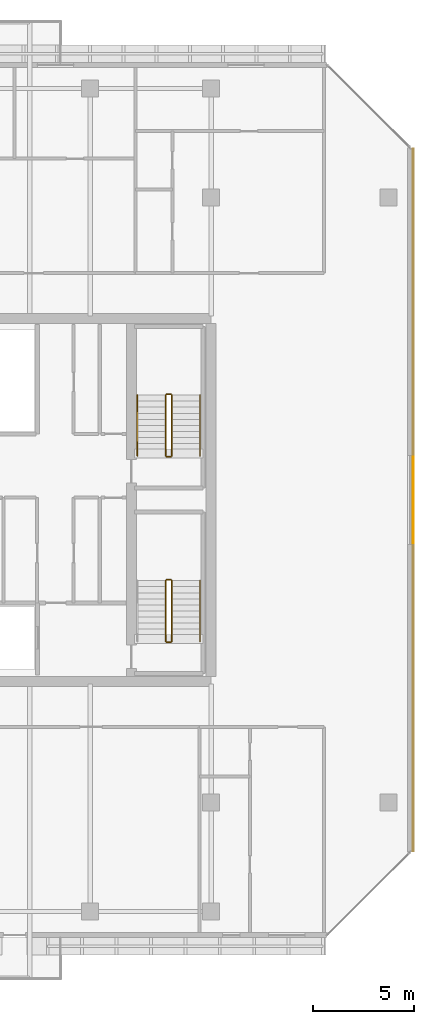
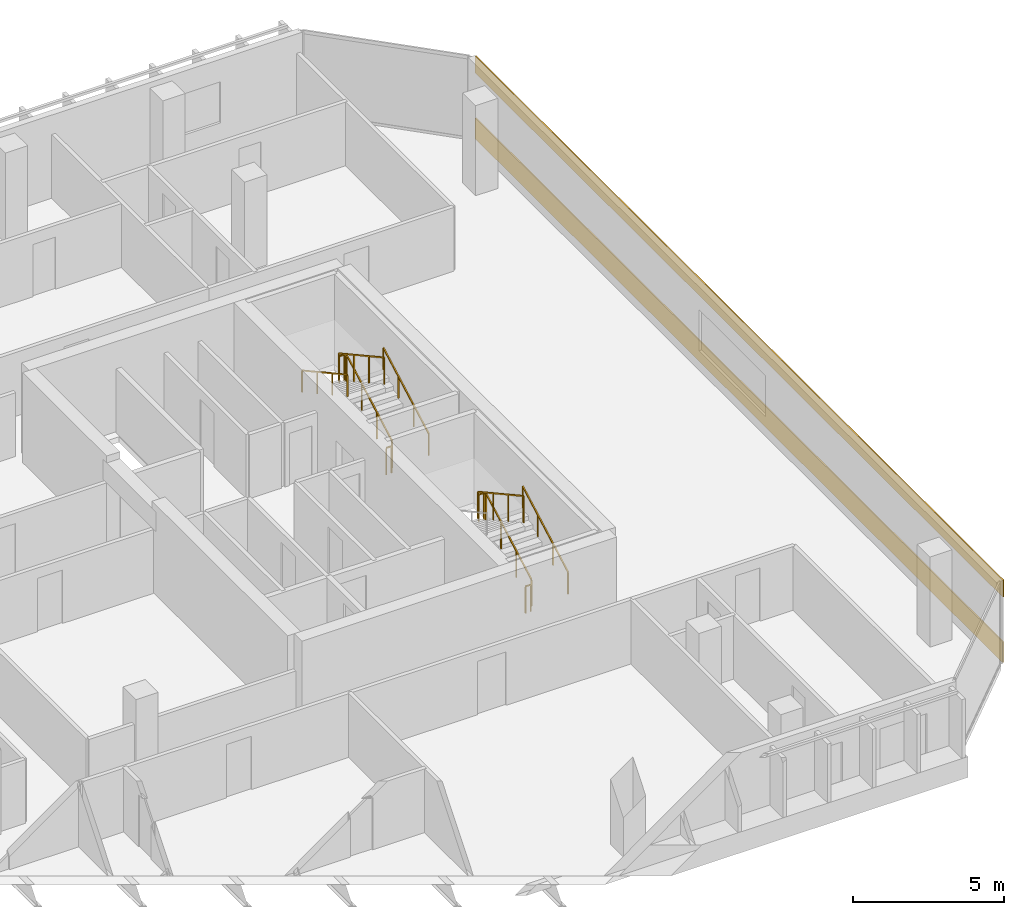
# One storey, part 30 of 31: 11 railings, 2 coverings.
"""IFC4 building model written with IfcOpenShell, lengths in metres."""

from ifc_helpers import new_model, si_unit, direction, frame, origin, origin_2d, place, context, subcontext, project, spatial, rectangle, extrude, material, layer, layer_set, type_object, element, save


model = new_model("IFC4")

# Units and contexts
model_context = context("Model", 3, precision=1e-05, world=origin(), true_north=direction((0.0, 1.0)))
body_context = subcontext(model_context, "Body", "Model", "MODEL_VIEW")
ifc_project = project(units=[si_unit("LENGTHUNIT", "METRE"), si_unit("AREAUNIT", "SQUARE_METRE"), si_unit("VOLUMEUNIT", "CUBIC_METRE"), si_unit("PLANEANGLEUNIT", "RADIAN"), si_unit("MASSUNIT", "GRAM", prefix="KILO")], contexts=[model_context])

# Site, building, storey
site_placement = place(None, origin())
site = spatial("IfcSite", under=ifc_project, at=site_placement, CompositionType="ELEMENT")
building_placement = place(site_placement, origin())
building = spatial("IfcBuilding", under=site, at=building_placement, Name="Tanjung Sevakor Pilgrim Tower", CompositionType="ELEMENT")
storey_placement = place(building_placement, frame((0.0, 0.0, 169.2900390625)))
storey = spatial("IfcBuildingStorey", under=building, at=storey_placement, Name="L47", CompositionType="ELEMENT", Elevation=169.2900390625)

# Coverings
ifc_material_1 = material(Name="Reconstructed Limestone Cladding", Category="masonry")
ifc_layer = layer(ifc_material_1, 0.044921875)
ifc_layer_set = layer_set([ifc_layer], Name="COV-CLAD-LIMESTONE")
covering_type = type_object("IfcCoveringType", Name="COV-CLAD-LIMESTONE", PredefinedType="CLADDING", material=ifc_layer_set)
covering_1_placement = place(storey_placement, frame((100.0224609375, 33.60009765625, 0.009765625), z_axis=(0.0, 0.0, 1.0), x_axis=(0.0, 1.0, 0.0)))
element("IfcCovering", 1, at=covering_1_placement, inside=storey, type_object=covering_type, Name="L47 Warm Limestone Sill Spandrel EW-L47-MAIN-7-1", PredefinedType="CLADDING", context=body_context, shape_type="SweptSolid", body=[
    extrude(rectangle(XDim=34.81640625, YDim=0.044921875, at=origin_2d()), origin(), (0.0, 0.0, 1.0), 0.840087890625),
])
covering_2_placement = place(storey_placement, frame((100.0224609375, 33.60009765625, 2.66015625), z_axis=(0.0, 0.0, 1.0), x_axis=(0.0, 1.0, 0.0)))
element("IfcCovering", 2, at=covering_2_placement, inside=storey, type_object=covering_type, Name="L47 Warm Limestone Cornice Spandrel EW-L47-MAIN-7", PredefinedType="CLADDING", context=body_context, shape_type="SweptSolid", body=[
    extrude(rectangle(XDim=34.8564453125, YDim=0.044921875, at=origin_2d()), origin(), (0.0, 0.0, 1.0), 0.679931640625),
])

# Railings
ifc_material_2 = material(Name="Steel S355J2", Category="steel")
railing_type_1 = type_object("IfcRailingType", Name="RL-STAIR-GUARD", PredefinedType="GUARDRAIL", material=ifc_material_2)
railing_1_placement = place(storey_placement, frame((88.050048828125, 26.60009765625, 0.1650390625)))
element("IfcRailing", 3, at=railing_1_placement, inside=storey, type_object=railing_type_1, Name="L47 TS-E1 stair guard 1", PredefinedType="GUARDRAIL", context=body_context, shape_type="SweptSolid", body=[
    extrude(rectangle(XDim=0.0479, YDim=0.0479), frame((0.0, 0.0, 1.076171875), z_axis=(0.0, 0.876227952683, 0.48189685093), x_axis=(-1.0, 0.0, 0.0)), (0.0, 0.0, 1.0), 3.423828125),
    extrude(rectangle(XDim=0.042, YDim=0.042), origin(), (0.0, 0.0, 1.0), 1.052001953125),
    extrude(rectangle(XDim=0.042, YDim=0.042), frame((0.0, 1.0, 0.550048828125)), (0.0, 0.0, 1.0), 1.052001953125),
    extrude(rectangle(XDim=0.042, YDim=0.042), frame((0.0, 2.0, 1.099853515625)), (0.0, 0.0, 1.0), 1.052001953125),
    extrude(rectangle(XDim=0.042, YDim=0.042), frame((0.0, 3.0, 1.64990234375)), (0.0, 0.0, 1.0), 1.052001953125),
])
railing_2_placement = place(storey_placement, frame((88.0, 29.64990234375, 1.81494140625)))
element("IfcRailing", 4, at=railing_2_placement, inside=storey, type_object=railing_type_1, Name="L47 TS-E1 stair guard 2", PredefinedType="GUARDRAIL", context=body_context, shape_type="SweptSolid", body=[
    extrude(rectangle(XDim=0.0479, YDim=0.0479), frame((0.0, 0.0, 1.076171875), z_axis=(-1.0, 0.0, 0.0), x_axis=(0.0, -1.0, 0.0)), (0.0, 0.0, 1.0), 0.199951171875),
    extrude(rectangle(XDim=0.042, YDim=0.042), origin(), (0.0, 0.0, 1.0), 1.052001953125),
    extrude(rectangle(XDim=0.042, YDim=0.042), frame((-0.199951171875, 0.0, 0.0)), (0.0, 0.0, 1.0), 1.052001953125),
])
railing_3_placement = place(storey_placement, frame((87.75, 29.60009765625, 1.97998046875)))
element("IfcRailing", 5, at=railing_3_placement, inside=storey, type_object=railing_type_1, Name="L47 TS-E1 stair guard 3", PredefinedType="GUARDRAIL", context=body_context, shape_type="SweptSolid", body=[
    extrude(rectangle(XDim=0.0479, YDim=0.0479), frame((0.0, 0.0, 1.076171875), z_axis=(0.0, -0.876227952683, 0.48189685093), x_axis=(1.0, 0.0, 0.0)), (0.0, 0.0, 1.0), 3.423828125),
    extrude(rectangle(XDim=0.042, YDim=0.042), origin(), (0.0, 0.0, 1.0), 1.052001953125),
    extrude(rectangle(XDim=0.042, YDim=0.042), frame((0.0, -1.0, 0.550048828125)), (0.0, 0.0, 1.0), 1.052001953125),
    extrude(rectangle(XDim=0.042, YDim=0.042), frame((0.0, -2.0, 1.099853515625)), (0.0, 0.0, 1.0), 1.052001953125),
    extrude(rectangle(XDim=0.042, YDim=0.042), frame((0.0, -3.0, 1.64990234375)), (0.0, 0.0, 1.0), 1.052001953125),
])
railing_4_placement = place(storey_placement, frame((88.0, 26.550048828125, 0.0)))
element("IfcRailing", 6, at=railing_4_placement, inside=storey, type_object=railing_type_1, Name="L47 TS-E1 stair guard 4", PredefinedType="GUARDRAIL", context=body_context, shape_type="SweptSolid", body=[
    extrude(rectangle(XDim=0.0479, YDim=0.0479), frame((0.0, 0.0, 1.076171875), z_axis=(-1.0, 0.0, 0.0), x_axis=(0.0, -1.0, 0.0)), (0.0, 0.0, 1.0), 0.199951171875),
    extrude(rectangle(XDim=0.042, YDim=0.042), origin(), (0.0, 0.0, 1.0), 1.052001953125),
    extrude(rectangle(XDim=0.042, YDim=0.042), frame((-0.199951171875, 0.0, 0.0)), (0.0, 0.0, 1.0), 1.052001953125),
])
railing_5_placement = place(storey_placement, frame((88.050048828125, 35.800048828125, 0.1650390625)))
element("IfcRailing", 7, at=railing_5_placement, inside=storey, type_object=railing_type_1, Name="L47 TS-E2 stair guard 1", PredefinedType="GUARDRAIL", context=body_context, shape_type="SweptSolid", body=[
    extrude(rectangle(XDim=0.0479, YDim=0.0479), frame((0.0, 0.0, 1.076171875), z_axis=(0.0, 0.876227952683, 0.48189685093), x_axis=(-1.0, 0.0, 0.0)), (0.0, 0.0, 1.0), 3.423828125),
    extrude(rectangle(XDim=0.042, YDim=0.042), origin(), (0.0, 0.0, 1.0), 1.052001953125),
    extrude(rectangle(XDim=0.042, YDim=0.042), frame((0.0, 1.0, 0.550048828125)), (0.0, 0.0, 1.0), 1.052001953125),
    extrude(rectangle(XDim=0.042, YDim=0.042), frame((0.0, 2.0, 1.099853515625)), (0.0, 0.0, 1.0), 1.052001953125),
    extrude(rectangle(XDim=0.042, YDim=0.042), frame((0.0, 3.0, 1.64990234375)), (0.0, 0.0, 1.0), 1.052001953125),
])
railing_6_placement = place(storey_placement, frame((88.0, 38.85009765625, 1.81494140625)))
element("IfcRailing", 8, at=railing_6_placement, inside=storey, type_object=railing_type_1, Name="L47 TS-E2 stair guard 2", PredefinedType="GUARDRAIL", context=body_context, shape_type="SweptSolid", body=[
    extrude(rectangle(XDim=0.0479, YDim=0.0479), frame((0.0, 0.0, 1.076171875), z_axis=(-1.0, 0.0, 0.0), x_axis=(0.0, -1.0, 0.0)), (0.0, 0.0, 1.0), 0.199951171875),
    extrude(rectangle(XDim=0.042, YDim=0.042), origin(), (0.0, 0.0, 1.0), 1.052001953125),
    extrude(rectangle(XDim=0.042, YDim=0.042), frame((-0.199951171875, 0.0, 0.0)), (0.0, 0.0, 1.0), 1.052001953125),
])
railing_7_placement = place(storey_placement, frame((87.75, 38.800048828125, 1.97998046875)))
element("IfcRailing", 9, at=railing_7_placement, inside=storey, type_object=railing_type_1, Name="L47 TS-E2 stair guard 3", PredefinedType="GUARDRAIL", context=body_context, shape_type="SweptSolid", body=[
    extrude(rectangle(XDim=0.0479, YDim=0.0479), frame((0.0, 0.0, 1.076171875), z_axis=(0.0, -0.876227952683, 0.48189685093), x_axis=(1.0, 0.0, 0.0)), (0.0, 0.0, 1.0), 3.423828125),
    extrude(rectangle(XDim=0.042, YDim=0.042), origin(), (0.0, 0.0, 1.0), 1.052001953125),
    extrude(rectangle(XDim=0.042, YDim=0.042), frame((0.0, -1.0, 0.550048828125)), (0.0, 0.0, 1.0), 1.052001953125),
    extrude(rectangle(XDim=0.042, YDim=0.042), frame((0.0, -2.0, 1.099853515625)), (0.0, 0.0, 1.0), 1.052001953125),
    extrude(rectangle(XDim=0.042, YDim=0.042), frame((0.0, -3.0, 1.64990234375)), (0.0, 0.0, 1.0), 1.052001953125),
])
railing_8_placement = place(storey_placement, frame((88.0, 35.75, 0.0)))
element("IfcRailing", 10, at=railing_8_placement, inside=storey, type_object=railing_type_1, Name="L47 TS-E2 stair guard 4", PredefinedType="GUARDRAIL", context=body_context, shape_type="SweptSolid", body=[
    extrude(rectangle(XDim=0.0479, YDim=0.0479), frame((0.0, 0.0, 1.076171875), z_axis=(-1.0, 0.0, 0.0), x_axis=(0.0, -1.0, 0.0)), (0.0, 0.0, 1.0), 0.199951171875),
    extrude(rectangle(XDim=0.042, YDim=0.042), origin(), (0.0, 0.0, 1.0), 1.052001953125),
    extrude(rectangle(XDim=0.042, YDim=0.042), frame((-0.199951171875, 0.0, 0.0)), (0.0, 0.0, 1.0), 1.052001953125),
])
ifc_material_3 = material(Name="Steel S355J2", Category="steel")
railing_type_2 = type_object("IfcRailingType", Name="RL-STAIR-HAND", PredefinedType="HANDRAIL", material=ifc_material_3)
for number, where, name in (
    (11, (89.449951171875, 26.60009765625, 0.1650390625), "L47 TS-E1 stair handrail 1"),
    (12, (89.449951171875, 35.800048828125, 0.1650390625), "L47 TS-E2 stair handrail 1"),
):
    element("IfcRailing", number, at=place(storey_placement, frame(where)), inside=storey, type_object=railing_type_2, Name=name, PredefinedType="HANDRAIL", context=body_context, shape_type="SweptSolid", body=[
        extrude(rectangle(XDim=0.0479, YDim=0.0479), frame((0.0, 0.0, 0.8759765625), z_axis=(0.0, 0.876227952683, 0.48189685093), x_axis=(-1.0, 0.0, 0.0)), (0.0, 0.0, 1.0), 3.423828125),
        extrude(rectangle(XDim=0.042, YDim=0.042), origin(), (0.0, 0.0, 1.0), 0.851806640625),
        extrude(rectangle(XDim=0.042, YDim=0.042), frame((0.0, 1.0, 0.550048828125)), (0.0, 0.0, 1.0), 0.851806640625),
        extrude(rectangle(XDim=0.042, YDim=0.042), frame((0.0, 2.0, 1.099853515625)), (0.0, 0.0, 1.0), 0.851806640625),
        extrude(rectangle(XDim=0.042, YDim=0.042), frame((0.0, 3.0, 1.64990234375)), (0.0, 0.0, 1.0), 0.851806640625),
    ])
railing_9_placement = place(storey_placement, frame((86.35009765625, 38.800048828125, 1.97998046875)))
element("IfcRailing", 13, at=railing_9_placement, inside=storey, type_object=railing_type_2, Name="L47 TS-E2 stair handrail 2", PredefinedType="HANDRAIL", context=body_context, shape_type="SweptSolid", body=[
    extrude(rectangle(XDim=0.0479, YDim=0.0479), frame((0.0, 0.0, 0.8759765625), z_axis=(0.0, -0.876227952683, 0.48189685093), x_axis=(1.0, 0.0, 0.0)), (0.0, 0.0, 1.0), 3.423828125),
    extrude(rectangle(XDim=0.042, YDim=0.042), origin(), (0.0, 0.0, 1.0), 0.851806640625),
    extrude(rectangle(XDim=0.042, YDim=0.042), frame((0.0, -1.0, 0.550048828125)), (0.0, 0.0, 1.0), 0.851806640625),
    extrude(rectangle(XDim=0.042, YDim=0.042), frame((0.0, -2.0, 1.099853515625)), (0.0, 0.0, 1.0), 0.851806640625),
    extrude(rectangle(XDim=0.042, YDim=0.042), frame((0.0, -3.0, 1.64990234375)), (0.0, 0.0, 1.0), 0.851806640625),
])

save(model, "model.ifc")
